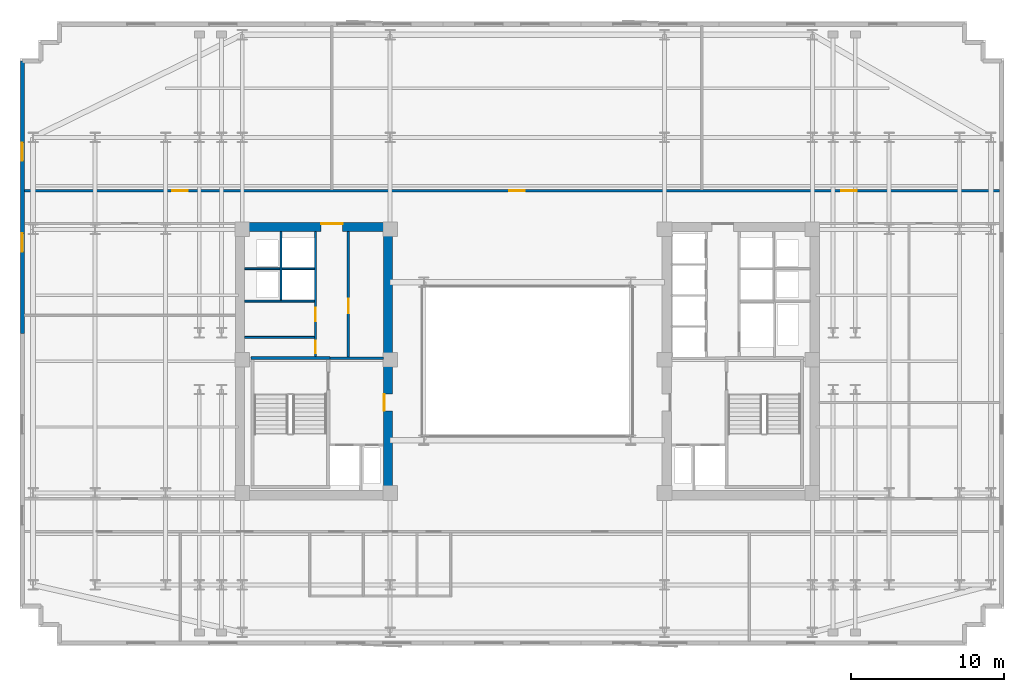
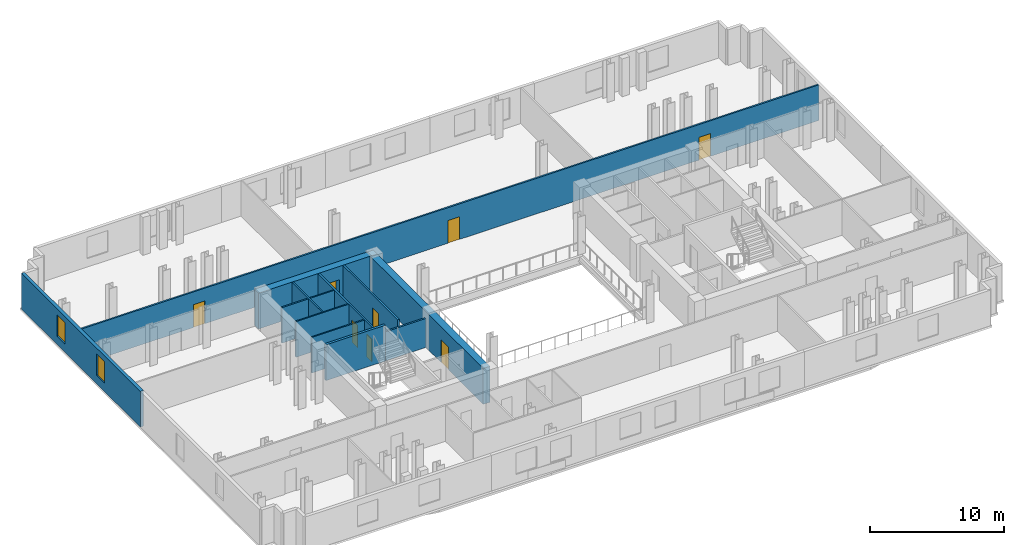
# One storey, part 5 of 10: 13 walls, 8 doors, 2 windows, 10 openings.
"""IFC4 building model written with IfcOpenShell, lengths in metres."""

from ifc_helpers import new_model, si_unit, direction, frame, frame_2d, origin, place, context, subcontext, project, spatial, rectangle, extrude, material, layer, layer_set, type_object, element, fill, save


model = new_model("IFC4")

# Units and contexts
model_context = context("Model", 3, precision=1e-05, world=origin(), true_north=direction((0.0, 1.0)))
body_context = subcontext(model_context, "Body", "Model", "MODEL_VIEW")
ifc_project = project(units=[si_unit("LENGTHUNIT", "METRE"), si_unit("AREAUNIT", "SQUARE_METRE"), si_unit("VOLUMEUNIT", "CUBIC_METRE"), si_unit("PLANEANGLEUNIT", "RADIAN"), si_unit("MASSUNIT", "GRAM", prefix="KILO")], contexts=[model_context])

# Site, building, storey
site_placement = place(None, origin())
site = spatial("IfcSite", under=ifc_project, at=site_placement, CompositionType="ELEMENT")
building_placement = place(site_placement, origin())
building = spatial("IfcBuilding", under=site, at=building_placement, Name="Velakula Bourse", CompositionType="ELEMENT")
storey_placement = place(building_placement, frame((0.0, 0.0, 124.300048828125)))
storey = spatial("IfcBuildingStorey", under=building, at=storey_placement, Name="L33", CompositionType="ELEMENT", Elevation=124.300048828125)

# Wall
ifc_material_1 = material(Name="Concrete M50 (fck 50 MPa)", Category="concrete")
ifc_layer_1 = layer(ifc_material_1, 0.2099609375, Name="Concrete M50 (fck 50 MPa)", Category="concrete")
ifc_layer_set_1 = layer_set([ifc_layer_1], Name="Concrete M50 (fck 50 MPa)")
wall_type_1 = type_object("IfcWallType", Name="WL-CORE-210", PredefinedType="SHEAR", material=ifc_layer_set_1)
wall_1_placement = place(storey_placement, frame((-12.889892578125, 0.205078125, 0.0), z_axis=(0.0, 0.0, 1.0), x_axis=(-1.0, 0.0, 0.0)))
element("IfcWall", 1, at=wall_1_placement, inside=storey, type_object=wall_type_1, Name="L33 Core W Stairwell Shear Wall N", PredefinedType="SHEAR", context=body_context, shape_type="SweptSolid", body=[
    extrude(rectangle(XDim=5.14013671875, YDim=0.2099609375, at=frame_2d((2.570068359375, 0.0))), origin(), (0.0, 0.0, 1.0), 3.27001953125),
])

# Wall, opening, door
ifc_material_2 = material(Name="Concrete M70 (fck 70 MPa)", Category="concrete")
ifc_layer_2 = layer(ifc_material_2, 0.60009765625, Name="Concrete M70 (fck 70 MPa)", Category="concrete")
ifc_layer_set_2 = layer_set([ifc_layer_2], Name="Concrete M70 (fck 70 MPa)")
wall_type_2 = type_object("IfcWallType", Name="WL-CORE-600", PredefinedType="SHEAR", material=ifc_layer_set_2)
wall_2_placement = place(storey_placement, frame((-19.050048828125, 8.75, 0.0), z_axis=(0.0, 0.0, 1.0), x_axis=(1.0, 0.0, 0.0)))
wall_2 = element("IfcWall", 2, at=wall_2_placement, inside=storey, type_object=wall_type_2, Name="L33 Core W Shear Wall N", PredefinedType="SHEAR", context=body_context, shape_type="SweptSolid", body=[
    extrude(rectangle(XDim=10.25, YDim=0.60009765625, at=frame_2d((5.125, 0.0))), origin(), (0.0, 0.0, 1.0), 3.27001953125),
])
opening_1_placement = place(wall_2_placement, frame((5.60009765625, 0.0, 0.0)))
opening_1 = element("IfcOpeningElement", 3, at=opening_1_placement, cuts=wall_2, Name="Opening D-LLW", PredefinedType="OPENING", context=body_context, shape_type="SweptSolid", body=[
    extrude(rectangle(XDim=1.39990234375, YDim=2.050048828125, at=frame_2d((0.699951171875, 1.02490234375))), frame((0.0, 0.31005859375, 0.0), z_axis=(0.0, -1.0, 0.0), x_axis=(1.0, 0.0, 0.0)), (0.0, 0.0, 1.0), 0.6201171875),
])
ifc_material_3 = material(Name="Fire-rated hardwood flush architectural door", Category="wood")
door_type_1 = type_object("IfcDoorType", Name="DR-DBL-FD60-1400", OperationType="DOUBLE_DOOR_SINGLE_SWING", PredefinedType="DOOR", material=ifc_material_3)
door_1_placement = place(opening_1_placement, origin())
door_1 = element("IfcDoor", 4, at=door_1_placement, inside=storey, type_object=door_type_1, Name="L33 Core W Lift Lobby Corridor Double Door", OperationType="DOUBLE_DOOR_SINGLE_SWING", OverallHeight=2.050048828125, OverallWidth=1.39990234375, PredefinedType="DOOR", context=body_context, shape_type="SweptSolid", body=[
    extrude(rectangle(XDim=1.39990234375, YDim=2.050048828125, at=frame_2d((0.699951171875, 1.02490234375))), frame((0.0, 0.2451171875, 0.0), z_axis=(0.0, -1.0, 0.0), x_axis=(1.0, 0.0, 0.0)), (0.0, 0.0, 1.0), 0.050048828125),
])
fill(opening_1, door_1)

wall_3_placement = place(storey_placement, frame((-9.10009765625, -8.449951171875, 0.0), z_axis=(0.0, 0.0, 1.0), x_axis=(0.0, 1.0, 0.0)))
wall_3 = element("IfcWall", 5, at=wall_3_placement, inside=storey, type_object=wall_type_2, Name="L33 Core W Shear Wall E", PredefinedType="SHEAR", context=body_context, shape_type="SweptSolid", body=[
    extrude(rectangle(XDim=16.89990234375, YDim=0.60009765625, at=frame_2d((8.449951171875, 0.0))), origin(), (0.0, 0.0, 1.0), 3.27001953125),
])
opening_2_placement = place(wall_3_placement, frame((5.199951171875, 0.0, 0.0)))
opening_2 = element("IfcOpeningElement", 6, at=opening_2_placement, cuts=wall_3, Name="Opening D-FLW", PredefinedType="OPENING", context=body_context, shape_type="SweptSolid", body=[
    extrude(rectangle(XDim=1.10009765625, YDim=2.080078125, at=frame_2d((0.550048828125, 1.0400390625))), frame((0.0, 0.31005859375, 0.0), z_axis=(0.0, -1.0, 0.0), x_axis=(1.0, 0.0, 0.0)), (0.0, 0.0, 1.0), 0.6201171875),
])
ifc_material_4 = material(Name="Galvanised painted hollow steel fire door", Category="steel")
door_type_2 = type_object("IfcDoorType", Name="DR-FD120-1100", OperationType="NOTDEFINED", PredefinedType="DOOR", material=ifc_material_4)
door_2_placement = place(opening_2_placement, origin())
door_2 = element("IfcDoor", 7, at=door_2_placement, inside=storey, type_object=door_type_2, Name="L33 Firefighting Lobby W Corridor Fire Door", OperationType="SINGLE_SWING_LEFT", OverallHeight=2.080078125, OverallWidth=1.10009765625, PredefinedType="DOOR", context=body_context, shape_type="SweptSolid", body=[
    extrude(rectangle(XDim=1.10009765625, YDim=2.080078125, at=frame_2d((0.550048828125, 1.0400390625))), frame((0.0, 0.2548828125, 0.0), z_axis=(0.0, -1.0, 0.0), x_axis=(1.0, 0.0, 0.0)), (0.0, 0.0, 1.0), 0.050048828125),
])
fill(opening_2, door_2)

# Wall, openings, windows
ifc_material_5 = material(Name="Red kilned clay facing brick masonry", Category="masonry")
ifc_layer_3 = layer(ifc_material_5, 0.280029296875, Name="Red kilned clay facing brick masonry", Category="masonry")
ifc_layer_set_3 = layer_set([ifc_layer_3], Name="Red kilned clay facing brick masonry")
wall_type_3 = type_object("IfcWallType", Name="WL-EXT-BRK-280", PredefinedType="STANDARD", material=ifc_layer_set_3)
wall_4_placement = place(storey_placement, frame((-32.93994140625, 1.800048828125, 0.0), z_axis=(0.0, 0.0, 1.0), x_axis=(0.0, 1.0, 0.0)))
wall_4 = element("IfcWall", 8, at=wall_4_placement, inside=storey, type_object=wall_type_3, Name="L33 W Brick End Wall W2", PredefinedType="STANDARD", context=body_context, shape_type="SweptSolid", body=[
    extrude(rectangle(XDim=17.7900390625, YDim=0.280029296875, at=frame_2d((8.89501953125, 0.0))), origin(), (0.0, 0.0, 1.0), 3.25),
])
opening_3_placement = place(wall_4_placement, frame((5.330078125, 0.0, 0.760009765625)))
opening_3 = element("IfcOpeningElement", 9, at=opening_3_placement, cuts=wall_4, Name="Opening W-04", PredefinedType="OPENING", context=body_context, shape_type="SweptSolid", body=[
    extrude(rectangle(XDim=1.199951171875, YDim=1.949951171875, at=frame_2d((0.60009765625, 0.97509765625))), frame((0.0, 0.14990234375, 0.0), z_axis=(0.0, -1.0, 0.0), x_axis=(1.0, 0.0, 0.0)), (0.0, 0.0, 1.0), 0.300048828125),
])
opening_4_placement = place(wall_4_placement, frame((11.260009765625, 0.0, 0.760009765625)))
opening_4 = element("IfcOpeningElement", 10, at=opening_4_placement, cuts=wall_4, Name="Opening W-04", PredefinedType="OPENING", context=body_context, shape_type="SweptSolid", body=[
    extrude(rectangle(XDim=1.199951171875, YDim=1.949951171875, at=frame_2d((0.60009765625, 0.97509765625))), frame((0.0, 0.14990234375, 0.0), z_axis=(0.0, -1.0, 0.0), x_axis=(1.0, 0.0, 0.0)), (0.0, 0.0, 1.0), 0.300048828125),
])
ifc_material_6 = material(Name="Double-glazed solar-control Low-E glass", Category="glass")
window_type = type_object("IfcWindowType", Name="WIN-TWR-1200x2100", PartitioningType="SINGLE_PANEL", PredefinedType="WINDOW", material=ifc_material_6)
window_1_placement = place(opening_3_placement, origin())
window_1 = element("IfcWindow", 11, at=window_1_placement, inside=storey, type_object=window_type, Name="L33 Deep-Set Recessed Window 1", OverallHeight=1.949951171875, OverallWidth=1.199951171875, PartitioningType="SINGLE_PANEL", PredefinedType="WINDOW", context=body_context, shape_type="SweptSolid", body=[
    extrude(rectangle(XDim=1.199951171875, YDim=1.949951171875, at=frame_2d((0.60009765625, 0.97509765625))), frame((0.0, 0.030029296875, 0.0), z_axis=(0.0, -1.0, 0.0), x_axis=(1.0, 0.0, 0.0)), (0.0, 0.0, 1.0), 0.06005859375),
])
fill(opening_3, window_1)
window_2_placement = place(opening_4_placement, origin())
window_2 = element("IfcWindow", 12, at=window_2_placement, inside=storey, type_object=window_type, Name="L33 Deep-Set Recessed Window 2", OverallHeight=1.949951171875, OverallWidth=1.199951171875, PartitioningType="SINGLE_PANEL", PredefinedType="WINDOW", context=body_context, shape_type="SweptSolid", body=[
    extrude(rectangle(XDim=1.199951171875, YDim=1.949951171875, at=frame_2d((0.60009765625, 0.97509765625))), frame((0.0, 0.030029296875, 0.0), z_axis=(0.0, -1.0, 0.0), x_axis=(1.0, 0.0, 0.0)), (0.0, 0.0, 1.0), 0.06005859375),
])
fill(opening_4, window_2)

# Walls
ifc_material_7 = material(Name="Fire-rated double-layer gypsum drywall partition", Category="gypsum")
ifc_layer_4 = layer(ifc_material_7, 0.1201171875, Name="Fire-rated double-layer gypsum drywall partition", Category="gypsum")
ifc_layer_set_4 = layer_set([ifc_layer_4], Name="Fire-rated double-layer gypsum drywall partition")
wall_type_4 = type_object("IfcWallType", Name="WL-PART-120", PredefinedType="STANDARD", material=ifc_layer_set_4)
wall_5_placement = place(storey_placement, frame((-18.449951171875, 3.919921875, 0.0), z_axis=(0.0, 0.0, 1.0), x_axis=(1.0, 0.0, 0.0)))
element("IfcWall", 13, at=wall_5_placement, inside=storey, type_object=wall_type_4, Name="L33 Interior Partition WL-CRW-L33-HI-S", PredefinedType="STANDARD", context=body_context, shape_type="SweptSolid", body=[
    extrude(rectangle(XDim=4.550048828125, YDim=0.1201171875, at=frame_2d((2.27490234375, 0.0))), origin(), (0.0, 0.0, 1.0), 3.25),
])
wall_6_placement = place(storey_placement, frame((-18.449951171875, 6.030029296875, 0.0), z_axis=(0.0, 0.0, 1.0), x_axis=(1.0, 0.0, 0.0)))
element("IfcWall", 14, at=wall_6_placement, inside=storey, type_object=wall_type_4, Name="L33 Interior Partition WL-CRW-L33-RIS-MID", PredefinedType="STANDARD", context=body_context, shape_type="SweptSolid", body=[
    extrude(rectangle(XDim=2.300048828125, YDim=0.1201171875, at=frame_2d((1.14990234375, 0.0))), origin(), (0.0, 0.0, 1.0), 3.25),
])
wall_7_placement = place(storey_placement, frame((-16.074951171875, 3.97998046875, 0.0), z_axis=(0.0, 0.0, 1.0), x_axis=(0.0, 1.0, 0.0)))
element("IfcWall", 15, at=wall_7_placement, inside=storey, type_object=wall_type_4, Name="L33 Interior Partition WL-CRW-L33-RIS-F", PredefinedType="STANDARD", context=body_context, shape_type="SweptSolid", body=[
    extrude(rectangle(XDim=4.469970703125, YDim=0.1201171875, at=frame_2d((2.23486328125, 0.0))), origin(), (0.0, 0.0, 1.0), 3.25),
])
wall_8_placement = place(storey_placement, frame((-16.0, 6.030029296875, 0.0), z_axis=(0.0, 0.0, 1.0), x_axis=(1.0, 0.0, 0.0)))
element("IfcWall", 16, at=wall_8_placement, inside=storey, type_object=wall_type_4, Name="L33 Interior Partition WL-CRW-L33-HI-DIV", PredefinedType="STANDARD", context=body_context, shape_type="SweptSolid", body=[
    extrude(rectangle(XDim=2.10009765625, YDim=0.1201171875, at=frame_2d((1.050048828125, 0.0))), origin(), (0.0, 0.0, 1.0), 3.25),
])
wall_9_placement = place(storey_placement, frame((-18.449951171875, 1.550048828125, 0.0), z_axis=(0.0, 0.0, 1.0), x_axis=(1.0, 0.0, 0.0)))
element("IfcWall", 17, at=wall_9_placement, inside=storey, type_object=wall_type_4, Name="L33 Interior Partition WL-CRW-L33-K1", PredefinedType="STANDARD", context=body_context, shape_type="SweptSolid", body=[
    extrude(rectangle(XDim=4.550048828125, YDim=0.1201171875, at=frame_2d((2.27490234375, 0.0))), origin(), (0.0, 0.0, 1.0), 3.25),
])

# Wall, openings, doors
ifc_layer_5 = layer(ifc_material_7, 0.139892578125, Name="Fire-rated double-layer gypsum drywall partition", Category="gypsum")
ifc_layer_set_5 = layer_set([ifc_layer_5], Name="Fire-rated double-layer gypsum drywall partition")
wall_type_5 = type_object("IfcWallType", Name="WL-PART-140", PredefinedType="STANDARD", material=ifc_layer_set_5)
wall_10_placement = place(storey_placement, frame((-32.820068359375, 11.1201171875, 0.0), z_axis=(0.0, 0.0, 1.0), x_axis=(1.0, 0.0, 0.0)))
wall_10 = element("IfcWall", 18, at=wall_10_placement, inside=storey, type_object=wall_type_5, Name="L33 Interior Partition WL-INT-L33-N-CORR", PredefinedType="STANDARD", context=body_context, shape_type="SweptSolid", body=[
    extrude(rectangle(XDim=63.64013671875, YDim=0.139892578125, at=frame_2d((31.820068359375, 0.0))), origin(), (0.0, 0.0, 1.0), 3.25),
])
opening_5_placement = place(wall_10_placement, frame((9.660400390625, 0.0, 0.0)))
opening_5 = element("IfcOpeningElement", 19, at=opening_5_placement, cuts=wall_10, Name="Opening D-OF1", PredefinedType="OPENING", context=body_context, shape_type="SweptSolid", body=[
    extrude(rectangle(XDim=1.0, YDim=2.080078125, at=frame_2d((0.5, 1.0400390625))), frame((0.0, 0.079833984375, 0.0), z_axis=(0.0, -1.0, 0.0), x_axis=(1.0, 0.0, 0.0)), (0.0, 0.0, 1.0), 0.159912109375),
])
opening_6_placement = place(wall_10_placement, frame((31.637451171875, 0.0, 0.0)))
opening_6 = element("IfcOpeningElement", 20, at=opening_6_placement, cuts=wall_10, Name="Opening D-OF1", PredefinedType="OPENING", context=body_context, shape_type="SweptSolid", body=[
    extrude(rectangle(XDim=1.0, YDim=2.080078125, at=frame_2d((0.5, 1.0400390625))), frame((0.0, 0.079833984375, 0.0), z_axis=(0.0, -1.0, 0.0), x_axis=(1.0, 0.0, 0.0)), (0.0, 0.0, 1.0), 0.159912109375),
])
opening_7_placement = place(wall_10_placement, frame((53.297119140625, 0.0, 0.0)))
opening_7 = element("IfcOpeningElement", 21, at=opening_7_placement, cuts=wall_10, Name="Opening D-OF1", PredefinedType="OPENING", context=body_context, shape_type="SweptSolid", body=[
    extrude(rectangle(XDim=1.0, YDim=2.080078125, at=frame_2d((0.5, 1.0400390625))), frame((0.0, 0.079833984375, 0.0), z_axis=(0.0, -1.0, 0.0), x_axis=(1.0, 0.0, 0.0)), (0.0, 0.0, 1.0), 0.159912109375),
])
door_type_3 = type_object("IfcDoorType", Name="DR-OFF-1000", OperationType="NOTDEFINED", PredefinedType="DOOR", material=ifc_material_3)
door_3_placement = place(opening_5_placement, origin())
door_3 = element("IfcDoor", 22, at=door_3_placement, inside=storey, type_object=door_type_3, Name="L33 Prime-Brokerage Dealing Workspace Door", OperationType="SINGLE_SWING_LEFT", OverallHeight=2.080078125, OverallWidth=1.0, PredefinedType="DOOR", context=body_context, shape_type="SweptSolid", body=[
    extrude(rectangle(XDim=1.0, YDim=2.080078125, at=frame_2d((0.5, 1.0400390625))), frame((0.0, 0.02490234375, 0.0), z_axis=(0.0, -1.0, 0.0), x_axis=(1.0, 0.0, 0.0)), (0.0, 0.0, 1.0), 0.050048828125),
])
fill(opening_5, door_3)
door_4_placement = place(opening_6_placement, origin())
door_4 = element("IfcDoor", 23, at=door_4_placement, inside=storey, type_object=door_type_3, Name="L33 Training Classroom Door", OperationType="SINGLE_SWING_RIGHT", OverallHeight=2.080078125, OverallWidth=1.0, PredefinedType="DOOR", context=body_context, shape_type="SweptSolid", body=[
    extrude(rectangle(XDim=1.0, YDim=2.080078125, at=frame_2d((0.5, 1.0400390625))), frame((0.0, 0.02490234375, 0.0), z_axis=(0.0, -1.0, 0.0), x_axis=(1.0, 0.0, 0.0)), (0.0, 0.0, 1.0), 0.050048828125),
])
fill(opening_6, door_4)
door_5_placement = place(opening_7_placement, origin())
door_5 = element("IfcDoor", 24, at=door_5_placement, inside=storey, type_object=door_type_3, Name="L33 Tea Room Kitchenette Door", OperationType="SINGLE_SWING_LEFT", OverallHeight=2.080078125, OverallWidth=1.0, PredefinedType="DOOR", context=body_context, shape_type="SweptSolid", body=[
    extrude(rectangle(XDim=1.0, YDim=2.080078125, at=frame_2d((0.5, 1.0400390625))), frame((0.0, 0.02490234375, 0.0), z_axis=(0.0, -1.0, 0.0), x_axis=(1.0, 0.0, 0.0)), (0.0, 0.0, 1.0), 0.050048828125),
])
fill(opening_7, door_5)

# Wall
ifc_material_8 = material(Name="Autoclaved aerated concrete blockwork masonry", Category="masonry")
ifc_layer_6 = layer(ifc_material_8, 0.14990234375, Name="Autoclaved aerated concrete blockwork masonry", Category="masonry")
ifc_layer_set_6 = layer_set([ifc_layer_6], Name="Autoclaved aerated concrete blockwork masonry")
wall_type_6 = type_object("IfcWallType", Name="WL-SHAFT-150", PredefinedType="STANDARD", material=ifc_layer_set_6)
wall_11_placement = place(storey_placement, frame((-12.889892578125, 0.18994140625, 0.0), z_axis=(0.0, 0.0, 1.0), x_axis=(1.0, 0.0, 0.0)))
element("IfcWall", 25, at=wall_11_placement, inside=storey, type_object=wall_type_6, Name="L33 Interior Partition WL-CRW-L33-FF-TOP", PredefinedType="STANDARD", context=body_context, shape_type="SweptSolid", body=[
    extrude(rectangle(XDim=3.489990234375, YDim=0.14990234375, at=frame_2d((1.7451171875, 0.0))), origin(), (0.0, 0.0, 1.0), 2.64501953125),
])

# Wall, opening, door
wall_12_placement = place(storey_placement, frame((-11.675048828125, 0.27001953125, 0.0), z_axis=(0.0, 0.0, 1.0), x_axis=(0.0, 1.0, 0.0)))
wall_12 = element("IfcWall", 26, at=wall_12_placement, inside=storey, type_object=wall_type_6, Name="L33 Interior Partition WL-CRW-L33-BANK-F", PredefinedType="STANDARD", context=body_context, shape_type="SweptSolid", body=[
    extrude(rectangle(XDim=8.179931640625, YDim=0.14990234375, at=frame_2d((4.08984375, 0.0))), origin(), (0.0, 0.0, 1.0), 3.25),
])
opening_8_placement = place(wall_12_placement, frame((2.85009765625, 0.0, 0.0)))
opening_8 = element("IfcOpeningElement", 27, at=opening_8_placement, cuts=wall_12, Name="Opening D-RC4", PredefinedType="OPENING", context=body_context, shape_type="SweptSolid", body=[
    extrude(rectangle(XDim=0.949951171875, YDim=2.050048828125, at=frame_2d((0.47509765625, 1.02490234375))), frame((0.0, 0.0849609375, 0.0), z_axis=(0.0, -1.0, 0.0), x_axis=(1.0, 0.0, 0.0)), (0.0, 0.0, 1.0), 0.169921875),
])
door_type_4 = type_object("IfcDoorType", Name="DR-FD60-950x2050", OperationType="NOTDEFINED", PredefinedType="DOOR", material=ifc_material_3)
door_6_placement = place(opening_8_placement, origin())
door_6 = element("IfcDoor", 28, at=door_6_placement, inside=storey, type_object=door_type_4, Name="L33 Reclaimed Multi-Bay Archive Room Door", OperationType="SINGLE_SWING_RIGHT", OverallHeight=2.050048828125, OverallWidth=0.949951171875, PredefinedType="DOOR", context=body_context, shape_type="SweptSolid", body=[
    extrude(rectangle(XDim=0.949951171875, YDim=2.050048828125, at=frame_2d((0.47509765625, 1.02490234375))), frame((0.0, 0.02490234375, 0.0), z_axis=(0.0, -1.0, 0.0), x_axis=(1.0, 0.0, 0.0)), (0.0, 0.0, 1.0), 0.050048828125),
])
fill(opening_8, door_6)

# Wall, openings, doors
wall_13_placement = place(storey_placement, frame((-13.824951171875, 0.27001953125, 0.0), z_axis=(0.0, 0.0, 1.0), x_axis=(0.0, 1.0, 0.0)))
wall_13 = element("IfcWall", 29, at=wall_13_placement, inside=storey, type_object=wall_type_6, Name="L33 Interior Partition WL-CRW-L33-OUT-F", PredefinedType="STANDARD", context=body_context, shape_type="SweptSolid", body=[
    extrude(rectangle(XDim=8.179931640625, YDim=0.14990234375, at=frame_2d((4.08984375, 0.0))), origin(), (0.0, 0.0, 1.0), 3.25),
])
opening_9_placement = place(wall_13_placement, frame((0.25, 0.0, 0.0)))
opening_9 = element("IfcOpeningElement", 30, at=opening_9_placement, cuts=wall_13, Name="Opening D-CS1", PredefinedType="OPENING", context=body_context, shape_type="SweptSolid", body=[
    extrude(rectangle(XDim=0.800048828125, YDim=2.050048828125, at=frame_2d((0.39990234375, 1.02490234375))), frame((0.0, 0.0849609375, 0.0), z_axis=(0.0, -1.0, 0.0), x_axis=(1.0, 0.0, 0.0)), (0.0, 0.0, 1.0), 0.169921875),
])
opening_10_placement = place(wall_13_placement, frame((2.35009765625, 0.0, 0.0)))
opening_10 = element("IfcOpeningElement", 31, at=opening_10_placement, cuts=wall_13, Name="Opening D-CW1", PredefinedType="OPENING", context=body_context, shape_type="SweptSolid", body=[
    extrude(rectangle(XDim=0.85009765625, YDim=2.050048828125, at=frame_2d((0.425048828125, 1.02490234375))), frame((0.0, 0.0849609375, 0.0), z_axis=(0.0, -1.0, 0.0), x_axis=(1.0, 0.0, 0.0)), (0.0, 0.0, 1.0), 0.169921875),
])
door_type_5 = type_object("IfcDoorType", Name="DR-INT-850", OperationType="NOTDEFINED", PredefinedType="DOOR", material=ifc_material_3)
door_7_placement = place(opening_10_placement, origin())
door_7 = element("IfcDoor", 32, at=door_7_placement, inside=storey, type_object=door_type_5, Name="L33 Core Janitor Closet Door", OperationType="SINGLE_SWING_RIGHT", OverallHeight=2.050048828125, OverallWidth=0.85009765625, PredefinedType="DOOR", context=body_context, shape_type="SweptSolid", body=[
    extrude(rectangle(XDim=0.85009765625, YDim=2.050048828125, at=frame_2d((0.425048828125, 1.02490234375))), frame((0.0, 0.02490234375, 0.0), z_axis=(0.0, -1.0, 0.0), x_axis=(1.0, 0.0, 0.0)), (0.0, 0.0, 1.0), 0.050048828125),
])
fill(opening_10, door_7)
door_type_6 = type_object("IfcDoorType", Name="DR-RISER-800x2050", OperationType="NOTDEFINED", PredefinedType="DOOR", material=ifc_material_4)
door_8_placement = place(opening_9_placement, origin())
door_8 = element("IfcDoor", 33, at=door_8_placement, inside=storey, type_object=door_type_6, Name="L33 Core Cleaner Store Door", OperationType="SINGLE_SWING_LEFT", OverallHeight=2.050048828125, OverallWidth=0.800048828125, PredefinedType="DOOR", context=body_context, shape_type="SweptSolid", body=[
    extrude(rectangle(XDim=0.800048828125, YDim=2.050048828125, at=frame_2d((0.39990234375, 1.02490234375))), frame((0.0, 0.02490234375, 0.0), z_axis=(0.0, -1.0, 0.0), x_axis=(1.0, 0.0, 0.0)), (0.0, 0.0, 1.0), 0.050048828125),
])
fill(opening_9, door_8)

save(model, "model.ifc")
